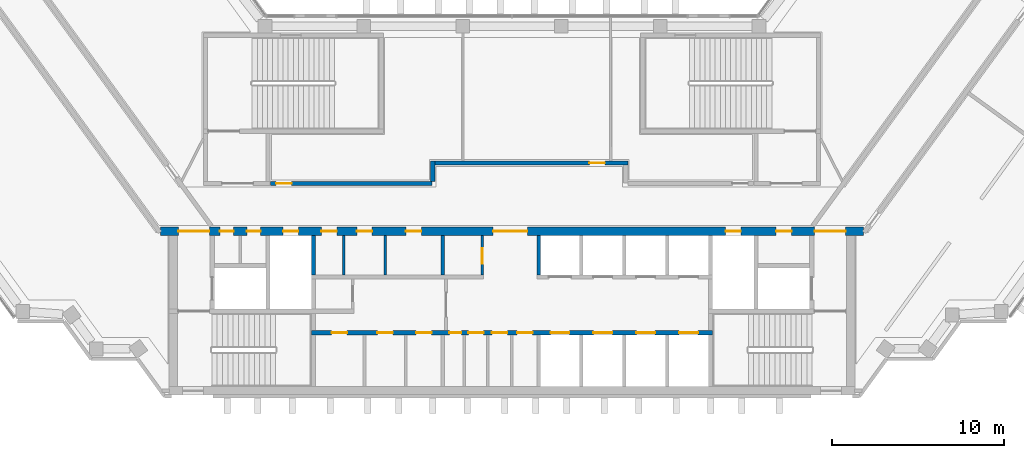
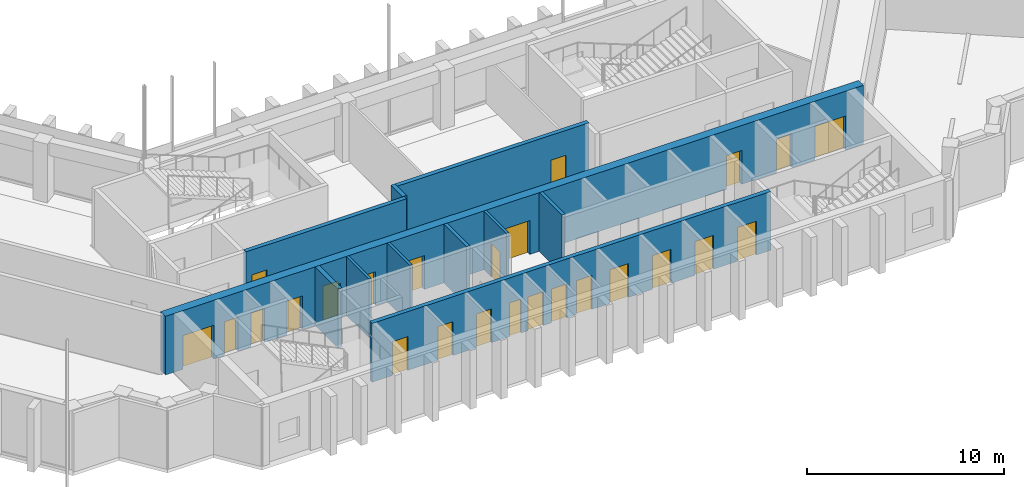
# One storey, part 8 of 12: 25 doors, 11 walls, 25 openings.
"""IFC4 building model written with IfcOpenShell, lengths in metres."""

from ifc_helpers import new_model, si_unit, direction, frame, frame_2d, origin, place, context, subcontext, project, spatial, rectangle, extrude, material, layer, layer_set, type_object, element, fill, save


model = new_model("IFC4")

# Units and contexts
model_context = context("Model", 3, precision=1e-05, world=origin(), true_north=direction((0.0, 1.0)))
body_context = subcontext(model_context, "Body", "Model", "MODEL_VIEW")
ifc_project = project(units=[si_unit("LENGTHUNIT", "METRE"), si_unit("AREAUNIT", "SQUARE_METRE"), si_unit("VOLUMEUNIT", "CUBIC_METRE"), si_unit("PLANEANGLEUNIT", "RADIAN"), si_unit("MASSUNIT", "GRAM", prefix="KILO")], contexts=[model_context])

# Site, building, storey
site_placement = place(None, origin())
site = spatial("IfcSite", under=ifc_project, at=site_placement, CompositionType="ELEMENT")
building_placement = place(site_placement, origin())
building = spatial("IfcBuilding", under=site, at=building_placement, Name="Quipu Civic Tower", CompositionType="ELEMENT")
storey_placement = place(building_placement, frame((0.0, 0.0, 210.0)))
storey = spatial("IfcBuildingStorey", under=building, at=storey_placement, Name="L49", CompositionType="ELEMENT", Elevation=210.0)

# Wall, openings, doors
ifc_material_1 = material(Name="Concrete C70/85", Category="concrete")
ifc_layer_1 = layer(ifc_material_1, 0.25)
ifc_layer_set_1 = layer_set([ifc_layer_1], Name="Concrete C70/85")
wall_type_1 = type_object("IfcWallType", Name="Core wall 250", PredefinedType="SHEAR", material=ifc_layer_set_1)
wall_1_placement = place(storey_placement, frame((11.699951171875, -7.375, 0.0), z_axis=(0.0, 0.0, 1.0), x_axis=(-1.0, 0.0, 0.0)))
wall_1 = element("IfcWall", 1, at=wall_1_placement, inside=storey, type_object=wall_type_1, Name="Core wall", PredefinedType="SHEAR", context=body_context, shape_type="SweptSolid", body=[
    extrude(rectangle(XDim=23.39990234375, YDim=0.25, at=frame_2d((11.699951171875, 0.0))), origin(), (0.0, 0.0, 1.0), 3.64990234375),
])
opening_1_placement = place(wall_1_placement, frame((21.31201171875, 0.0, 0.0)))
opening_1 = element("IfcOpeningElement", 2, at=opening_1_placement, cuts=wall_1, Name="Opening CD-01", PredefinedType="OPENING", context=body_context, shape_type="SweptSolid", body=[
    extrude(rectangle(XDim=0.89990234375, YDim=2.10009765625, at=frame_2d((0.449951171875, 1.050048828125))), frame((0.0, 0.135009765625, 0.0), z_axis=(0.0, -1.0, 0.0), x_axis=(1.0, 0.0, 0.0)), (0.0, 0.0, 1.0), 0.27001953125),
])
opening_2_placement = place(wall_1_placement, frame((18.64990234375, 0.0, 0.0)))
opening_2 = element("IfcOpeningElement", 3, at=opening_2_placement, cuts=wall_1, Name="Opening CD-02", PredefinedType="OPENING", context=body_context, shape_type="SweptSolid", body=[
    extrude(rectangle(XDim=0.89990234375, YDim=2.10009765625, at=frame_2d((0.449951171875, 1.050048828125))), frame((0.0, 0.135009765625, 0.0), z_axis=(0.0, -1.0, 0.0), x_axis=(1.0, 0.0, 0.0)), (0.0, 0.0, 1.0), 0.27001953125),
])
opening_3_placement = place(wall_1_placement, frame((16.387939453125, 0.0, 0.0)))
opening_3 = element("IfcOpeningElement", 4, at=opening_3_placement, cuts=wall_1, Name="Opening CD-03", PredefinedType="OPENING", context=body_context, shape_type="SweptSolid", body=[
    extrude(rectangle(XDim=0.89990234375, YDim=2.10009765625, at=frame_2d((0.449951171875, 1.050048828125))), frame((0.0, 0.135009765625, 0.0), z_axis=(0.0, -1.0, 0.0), x_axis=(1.0, 0.0, 0.0)), (0.0, 0.0, 1.0), 0.27001953125),
])
opening_4_placement = place(wall_1_placement, frame((14.64990234375, 0.0, 0.0)))
opening_4 = element("IfcOpeningElement", 5, at=opening_4_placement, cuts=wall_1, Name="Opening CD-04", PredefinedType="OPENING", context=body_context, shape_type="SweptSolid", body=[
    extrude(rectangle(XDim=0.699951171875, YDim=2.10009765625, at=frame_2d((0.35009765625, 1.050048828125))), frame((0.0, 0.135009765625, 0.0), z_axis=(0.0, -1.0, 0.0), x_axis=(1.0, 0.0, 0.0)), (0.0, 0.0, 1.0), 0.27001953125),
])
opening_5_placement = place(wall_1_placement, frame((13.35009765625, 0.0, 0.0)))
opening_5 = element("IfcOpeningElement", 6, at=opening_5_placement, cuts=wall_1, Name="Opening CD-05", PredefinedType="OPENING", context=body_context, shape_type="SweptSolid", body=[
    extrude(rectangle(XDim=0.89990234375, YDim=2.10009765625, at=frame_2d((0.449951171875, 1.050048828125))), frame((0.0, 0.135009765625, 0.0), z_axis=(0.0, -1.0, 0.0), x_axis=(1.0, 0.0, 0.0)), (0.0, 0.0, 1.0), 0.27001953125),
])
opening_6_placement = place(wall_1_placement, frame((11.97509765625, 0.0, 0.0)))
opening_6 = element("IfcOpeningElement", 7, at=opening_6_placement, cuts=wall_1, Name="Opening CD-06", PredefinedType="OPENING", context=body_context, shape_type="SweptSolid", body=[
    extrude(rectangle(XDim=0.89990234375, YDim=2.10009765625, at=frame_2d((0.449951171875, 1.050048828125))), frame((0.0, 0.135009765625, 0.0), z_axis=(0.0, -1.0, 0.0), x_axis=(1.0, 0.0, 0.0)), (0.0, 0.0, 1.0), 0.27001953125),
])
opening_7_placement = place(wall_1_placement, frame((10.5, 0.0, 0.0)))
opening_7 = element("IfcOpeningElement", 8, at=opening_7_placement, cuts=wall_1, Name="Opening CD-07", PredefinedType="OPENING", context=body_context, shape_type="SweptSolid", body=[
    extrude(rectangle(XDim=0.89990234375, YDim=2.10009765625, at=frame_2d((0.449951171875, 1.050048828125))), frame((0.0, 0.135009765625, 0.0), z_axis=(0.0, -1.0, 0.0), x_axis=(1.0, 0.0, 0.0)), (0.0, 0.0, 1.0), 0.27001953125),
])
opening_8_placement = place(wall_1_placement, frame((8.35009765625, 0.0, 0.0)))
opening_8 = element("IfcOpeningElement", 9, at=opening_8_placement, cuts=wall_1, Name="Opening LD-ML1", PredefinedType="OPENING", context=body_context, shape_type="SweptSolid", body=[
    extrude(rectangle(XDim=1.10009765625, YDim=2.10009765625, at=frame_2d((0.550048828125, 1.050048828125))), frame((0.0, 0.135009765625, 0.0), z_axis=(0.0, -1.0, 0.0), x_axis=(1.0, 0.0, 0.0)), (0.0, 0.0, 1.0), 0.27001953125),
])
opening_9_placement = place(wall_1_placement, frame((5.85009765625, 0.0, 0.0)))
opening_9 = element("IfcOpeningElement", 10, at=opening_9_placement, cuts=wall_1, Name="Opening LD-ML2", PredefinedType="OPENING", context=body_context, shape_type="SweptSolid", body=[
    extrude(rectangle(XDim=1.10009765625, YDim=2.10009765625, at=frame_2d((0.550048828125, 1.050048828125))), frame((0.0, 0.135009765625, 0.0), z_axis=(0.0, -1.0, 0.0), x_axis=(1.0, 0.0, 0.0)), (0.0, 0.0, 1.0), 0.27001953125),
])
opening_10_placement = place(wall_1_placement, frame((3.35009765625, 0.0, 0.0)))
opening_10 = element("IfcOpeningElement", 11, at=opening_10_placement, cuts=wall_1, Name="Opening LD-ML3", PredefinedType="OPENING", context=body_context, shape_type="SweptSolid", body=[
    extrude(rectangle(XDim=1.10009765625, YDim=2.10009765625, at=frame_2d((0.550048828125, 1.050048828125))), frame((0.0, 0.135009765625, 0.0), z_axis=(0.0, -1.0, 0.0), x_axis=(1.0, 0.0, 0.0)), (0.0, 0.0, 1.0), 0.27001953125),
])
opening_11_placement = place(wall_1_placement, frame((0.85009765625, 0.0, 0.0)))
opening_11 = element("IfcOpeningElement", 12, at=opening_11_placement, cuts=wall_1, Name="Opening LD-ML4", PredefinedType="OPENING", context=body_context, shape_type="SweptSolid", body=[
    extrude(rectangle(XDim=1.10009765625, YDim=2.10009765625, at=frame_2d((0.550048828125, 1.050048828125))), frame((0.0, 0.135009765625, 0.0), z_axis=(0.0, -1.0, 0.0), x_axis=(1.0, 0.0, 0.0)), (0.0, 0.0, 1.0), 0.27001953125),
])
ifc_material_2 = material(Name="Fire rated steel door", Category="steel")
door_type_1 = type_object("IfcDoorType", Name="Fire door FD60 700 x 2100", OperationType="NOTDEFINED", PredefinedType="DOOR", material=ifc_material_2)
door_1_placement = place(opening_4_placement, origin())
door_1 = element("IfcDoor", 13, at=door_1_placement, inside=storey, type_object=door_type_1, Name="Door", OperationType="SINGLE_SWING_RIGHT", OverallHeight=2.10009765625, OverallWidth=0.699951171875, PredefinedType="DOOR", context=body_context, shape_type="SweptSolid", body=[
    extrude(rectangle(XDim=0.699951171875, YDim=2.10009765625, at=frame_2d((0.35009765625, 1.050048828125))), frame((0.0, 0.02490234375, 0.0), z_axis=(0.0, -1.0, 0.0), x_axis=(1.0, 0.0, 0.0)), (0.0, 0.0, 1.0), 0.050048828125),
])
fill(opening_4, door_1)
ifc_material_3 = material(Name="Fire rated steel door", Category="steel")
door_type_2 = type_object("IfcDoorType", Name="Fire door FD60 900 x 2100", OperationType="NOTDEFINED", PredefinedType="DOOR", material=ifc_material_3)
door_2_placement = place(opening_1_placement, origin())
door_2 = element("IfcDoor", 14, at=door_2_placement, inside=storey, type_object=door_type_2, Name="Door", OperationType="SINGLE_SWING_RIGHT", OverallHeight=2.10009765625, OverallWidth=0.89990234375, PredefinedType="DOOR", context=body_context, shape_type="SweptSolid", body=[
    extrude(rectangle(XDim=0.89990234375, YDim=2.10009765625, at=frame_2d((0.449951171875, 1.050048828125))), frame((0.0, 0.02490234375, 0.0), z_axis=(0.0, -1.0, 0.0), x_axis=(1.0, 0.0, 0.0)), (0.0, 0.0, 1.0), 0.050048828125),
])
fill(opening_1, door_2)
door_3_placement = place(opening_2_placement, origin())
door_3 = element("IfcDoor", 15, at=door_3_placement, inside=storey, type_object=door_type_2, Name="Door", OperationType="SINGLE_SWING_RIGHT", OverallHeight=2.10009765625, OverallWidth=0.89990234375, PredefinedType="DOOR", context=body_context, shape_type="SweptSolid", body=[
    extrude(rectangle(XDim=0.89990234375, YDim=2.10009765625, at=frame_2d((0.449951171875, 1.050048828125))), frame((0.0, 0.02490234375, 0.0), z_axis=(0.0, -1.0, 0.0), x_axis=(1.0, 0.0, 0.0)), (0.0, 0.0, 1.0), 0.050048828125),
])
fill(opening_2, door_3)
door_4_placement = place(opening_3_placement, origin())
door_4 = element("IfcDoor", 16, at=door_4_placement, inside=storey, type_object=door_type_2, Name="Door", OperationType="SINGLE_SWING_RIGHT", OverallHeight=2.10009765625, OverallWidth=0.89990234375, PredefinedType="DOOR", context=body_context, shape_type="SweptSolid", body=[
    extrude(rectangle(XDim=0.89990234375, YDim=2.10009765625, at=frame_2d((0.449951171875, 1.050048828125))), frame((0.0, 0.02490234375, 0.0), z_axis=(0.0, -1.0, 0.0), x_axis=(1.0, 0.0, 0.0)), (0.0, 0.0, 1.0), 0.050048828125),
])
fill(opening_3, door_4)
door_5_placement = place(opening_5_placement, origin())
door_5 = element("IfcDoor", 17, at=door_5_placement, inside=storey, type_object=door_type_2, Name="WC door", OperationType="SINGLE_SWING_RIGHT", OverallHeight=2.10009765625, OverallWidth=0.89990234375, PredefinedType="DOOR", context=body_context, shape_type="SweptSolid", body=[
    extrude(rectangle(XDim=0.89990234375, YDim=2.10009765625, at=frame_2d((0.449951171875, 1.050048828125))), frame((0.0, 0.02490234375, 0.0), z_axis=(0.0, -1.0, 0.0), x_axis=(1.0, 0.0, 0.0)), (0.0, 0.0, 1.0), 0.050048828125),
])
fill(opening_5, door_5)
door_6_placement = place(opening_6_placement, origin())
door_6 = element("IfcDoor", 18, at=door_6_placement, inside=storey, type_object=door_type_2, Name="WC door", OperationType="SINGLE_SWING_RIGHT", OverallHeight=2.10009765625, OverallWidth=0.89990234375, PredefinedType="DOOR", context=body_context, shape_type="SweptSolid", body=[
    extrude(rectangle(XDim=0.89990234375, YDim=2.10009765625, at=frame_2d((0.449951171875, 1.050048828125))), frame((0.0, 0.02490234375, 0.0), z_axis=(0.0, -1.0, 0.0), x_axis=(1.0, 0.0, 0.0)), (0.0, 0.0, 1.0), 0.050048828125),
])
fill(opening_6, door_6)
door_7_placement = place(opening_7_placement, origin())
door_7 = element("IfcDoor", 19, at=door_7_placement, inside=storey, type_object=door_type_2, Name="WC door", OperationType="SINGLE_SWING_LEFT", OverallHeight=2.10009765625, OverallWidth=0.89990234375, PredefinedType="DOOR", context=body_context, shape_type="SweptSolid", body=[
    extrude(rectangle(XDim=0.89990234375, YDim=2.10009765625, at=frame_2d((0.449951171875, 1.050048828125))), frame((0.0, 0.02490234375, 0.0), z_axis=(0.0, -1.0, 0.0), x_axis=(1.0, 0.0, 0.0)), (0.0, 0.0, 1.0), 0.050048828125),
])
fill(opening_7, door_7)
ifc_material_4 = material(Name="Stainless steel", Category="steel")
door_type_3 = type_object("IfcDoorType", Name="Lift landing door 1100 x 2100", OperationType="DOUBLE_DOOR_SLIDING", PredefinedType="DOOR", material=ifc_material_4)
door_8_placement = place(opening_8_placement, origin())
door_8 = element("IfcDoor", 20, at=door_8_placement, inside=storey, type_object=door_type_3, Name="Landing door ML1", OperationType="DOUBLE_DOOR_SLIDING", OverallHeight=2.10009765625, OverallWidth=1.10009765625, PredefinedType="DOOR", context=body_context, shape_type="SweptSolid", body=[
    extrude(rectangle(XDim=1.10009765625, YDim=2.10009765625, at=frame_2d((0.550048828125, 1.050048828125))), frame((0.0, 0.02490234375, 0.0), z_axis=(0.0, -1.0, 0.0), x_axis=(1.0, 0.0, 0.0)), (0.0, 0.0, 1.0), 0.050048828125),
])
fill(opening_8, door_8)
door_9_placement = place(opening_9_placement, origin())
door_9 = element("IfcDoor", 21, at=door_9_placement, inside=storey, type_object=door_type_3, Name="Landing door ML2", OperationType="DOUBLE_DOOR_SLIDING", OverallHeight=2.10009765625, OverallWidth=1.10009765625, PredefinedType="DOOR", context=body_context, shape_type="SweptSolid", body=[
    extrude(rectangle(XDim=1.10009765625, YDim=2.10009765625, at=frame_2d((0.550048828125, 1.050048828125))), frame((0.0, 0.02490234375, 0.0), z_axis=(0.0, -1.0, 0.0), x_axis=(1.0, 0.0, 0.0)), (0.0, 0.0, 1.0), 0.050048828125),
])
fill(opening_9, door_9)
door_10_placement = place(opening_10_placement, origin())
door_10 = element("IfcDoor", 22, at=door_10_placement, inside=storey, type_object=door_type_3, Name="Landing door ML3", OperationType="DOUBLE_DOOR_SLIDING", OverallHeight=2.10009765625, OverallWidth=1.10009765625, PredefinedType="DOOR", context=body_context, shape_type="SweptSolid", body=[
    extrude(rectangle(XDim=1.10009765625, YDim=2.10009765625, at=frame_2d((0.550048828125, 1.050048828125))), frame((0.0, 0.02490234375, 0.0), z_axis=(0.0, -1.0, 0.0), x_axis=(1.0, 0.0, 0.0)), (0.0, 0.0, 1.0), 0.050048828125),
])
fill(opening_10, door_10)
door_11_placement = place(opening_11_placement, origin())
door_11 = element("IfcDoor", 23, at=door_11_placement, inside=storey, type_object=door_type_3, Name="Landing door ML4", OperationType="DOUBLE_DOOR_SLIDING", OverallHeight=2.10009765625, OverallWidth=1.10009765625, PredefinedType="DOOR", context=body_context, shape_type="SweptSolid", body=[
    extrude(rectangle(XDim=1.10009765625, YDim=2.10009765625, at=frame_2d((0.550048828125, 1.050048828125))), frame((0.0, 0.02490234375, 0.0), z_axis=(0.0, -1.0, 0.0), x_axis=(1.0, 0.0, 0.0)), (0.0, 0.0, 1.0), 0.050048828125),
])
fill(opening_11, door_11)

# Wall
wall_2_placement = place(storey_placement, frame((-11.574951171875, -4.0, 0.0), z_axis=(0.0, 0.0, 1.0), x_axis=(0.0, 1.0, 0.0)))
element("IfcWall", 24, at=wall_2_placement, inside=storey, type_object=wall_type_1, Name="Core wall", PredefinedType="SHEAR", context=body_context, shape_type="SweptSolid", body=[
    extrude(rectangle(XDim=2.300048828125, YDim=0.25, at=frame_2d((1.14990234375, 0.0))), origin(), (0.0, 0.0, 1.0), 3.64990234375),
])

# Wall, openings, doors
ifc_material_5 = material(Name="Concrete C70/85", Category="concrete")
ifc_layer_2 = layer(ifc_material_5, 0.5)
ifc_layer_set_2 = layer_set([ifc_layer_2], Name="Concrete C70/85")
wall_type_2 = type_object("IfcWallType", Name="Core wall 500", PredefinedType="SHEAR", material=ifc_layer_set_2)
wall_3_placement = place(storey_placement, frame((20.489990234375, -1.449951171875, 0.0), z_axis=(0.0, 0.0, 1.0), x_axis=(-1.0, 0.0, 0.0)))
wall_3 = element("IfcWall", 25, at=wall_3_placement, inside=storey, type_object=wall_type_2, Name="Core wall", PredefinedType="SHEAR", context=body_context, shape_type="SweptSolid", body=[
    extrude(rectangle(XDim=40.97998046875, YDim=0.5, at=frame_2d((20.489990234375, 0.0))), origin(), (0.0, 0.0, 1.0), 3.64990234375),
])
opening_12_placement = place(wall_3_placement, frame((38.139892578125, 0.0, 0.0)))
opening_12 = element("IfcOpeningElement", 26, at=opening_12_placement, cuts=wall_3, Name="Opening CD-13", PredefinedType="OPENING", context=body_context, shape_type="SweptSolid", body=[
    extrude(rectangle(XDim=1.800048828125, YDim=2.10009765625, at=frame_2d((0.89990234375, 1.050048828125))), frame((0.0, 0.260009765625, 0.0), z_axis=(0.0, -1.0, 0.0), x_axis=(1.0, 0.0, 0.0)), (0.0, 0.0, 1.0), 0.52001953125),
])
opening_13_placement = place(wall_3_placement, frame((36.7275390625, 0.0, 0.0)))
opening_13 = element("IfcOpeningElement", 27, at=opening_13_placement, cuts=wall_3, Name="Opening CD-14", PredefinedType="OPENING", context=body_context, shape_type="SweptSolid", body=[
    extrude(rectangle(XDim=0.800048828125, YDim=2.10009765625, at=frame_2d((0.39990234375, 1.050048828125))), frame((0.0, 0.260009765625, 0.0), z_axis=(0.0, -1.0, 0.0), x_axis=(1.0, 0.0, 0.0)), (0.0, 0.0, 1.0), 0.52001953125),
])
opening_14_placement = place(wall_3_placement, frame((35.152587890625, 0.0, 0.0)))
opening_14 = element("IfcOpeningElement", 28, at=opening_14_placement, cuts=wall_3, Name="Opening CD-15", PredefinedType="OPENING", context=body_context, shape_type="SweptSolid", body=[
    extrude(rectangle(XDim=0.800048828125, YDim=2.10009765625, at=frame_2d((0.39990234375, 1.050048828125))), frame((0.0, 0.260009765625, 0.0), z_axis=(0.0, -1.0, 0.0), x_axis=(1.0, 0.0, 0.0)), (0.0, 0.0, 1.0), 0.52001953125),
])
opening_15_placement = place(wall_3_placement, frame((32.93994140625, 0.0, 0.0)))
opening_15 = element("IfcOpeningElement", 29, at=opening_15_placement, cuts=wall_3, Name="Opening CD-16", PredefinedType="OPENING", context=body_context, shape_type="SweptSolid", body=[
    extrude(rectangle(XDim=0.89990234375, YDim=2.10009765625, at=frame_2d((0.449951171875, 1.050048828125))), frame((0.0, 0.260009765625, 0.0), z_axis=(0.0, -1.0, 0.0), x_axis=(1.0, 0.0, 0.0)), (0.0, 0.0, 1.0), 0.52001953125),
])
opening_16_placement = place(wall_3_placement, frame((30.702392578125, 0.0, 0.0)))
opening_16 = element("IfcOpeningElement", 30, at=opening_16_placement, cuts=wall_3, Name="Opening CD-17", PredefinedType="OPENING", context=body_context, shape_type="SweptSolid", body=[
    extrude(rectangle(XDim=0.89990234375, YDim=2.10009765625, at=frame_2d((0.449951171875, 1.050048828125))), frame((0.0, 0.260009765625, 0.0), z_axis=(0.0, -1.0, 0.0), x_axis=(1.0, 0.0, 0.0)), (0.0, 0.0, 1.0), 0.52001953125),
])
opening_17_placement = place(wall_3_placement, frame((28.639892578125, 0.0, 0.0)))
opening_17 = element("IfcOpeningElement", 31, at=opening_17_placement, cuts=wall_3, Name="Opening CD-18", PredefinedType="OPENING", context=body_context, shape_type="SweptSolid", body=[
    extrude(rectangle(XDim=0.89990234375, YDim=2.10009765625, at=frame_2d((0.449951171875, 1.050048828125))), frame((0.0, 0.260009765625, 0.0), z_axis=(0.0, -1.0, 0.0), x_axis=(1.0, 0.0, 0.0)), (0.0, 0.0, 1.0), 0.52001953125),
])
opening_18_placement = place(wall_3_placement, frame((25.777587890625, 0.0, 0.0)))
opening_18 = element("IfcOpeningElement", 32, at=opening_18_placement, cuts=wall_3, Name="Opening CD-19", PredefinedType="OPENING", context=body_context, shape_type="SweptSolid", body=[
    extrude(rectangle(XDim=0.89990234375, YDim=2.10009765625, at=frame_2d((0.449951171875, 1.050048828125))), frame((0.0, 0.260009765625, 0.0), z_axis=(0.0, -1.0, 0.0), x_axis=(1.0, 0.0, 0.0)), (0.0, 0.0, 1.0), 0.52001953125),
])
opening_19_placement = place(wall_3_placement, frame((19.590087890625, 0.0, 0.0)))
opening_19 = element("IfcOpeningElement", 33, at=opening_19_placement, cuts=wall_3, Name="Opening CD-20", PredefinedType="OPENING", context=body_context, shape_type="SweptSolid", body=[
    extrude(rectangle(XDim=2.0, YDim=2.10009765625, at=frame_2d((1.0, 1.050048828125))), frame((0.0, 0.260009765625, 0.0), z_axis=(0.0, -1.0, 0.0), x_axis=(1.0, 0.0, 0.0)), (0.0, 0.0, 1.0), 0.52001953125),
])
opening_20_placement = place(wall_3_placement, frame((7.139892578125, 0.0, 0.0)))
opening_20 = element("IfcOpeningElement", 34, at=opening_20_placement, cuts=wall_3, Name="Opening CD-21", PredefinedType="OPENING", context=body_context, shape_type="SweptSolid", body=[
    extrude(rectangle(XDim=0.89990234375, YDim=2.10009765625, at=frame_2d((0.449951171875, 1.050048828125))), frame((0.0, 0.260009765625, 0.0), z_axis=(0.0, -1.0, 0.0), x_axis=(1.0, 0.0, 0.0)), (0.0, 0.0, 1.0), 0.52001953125),
])
opening_21_placement = place(wall_3_placement, frame((4.18994140625, 0.0, 0.0)))
opening_21 = element("IfcOpeningElement", 35, at=opening_21_placement, cuts=wall_3, Name="Opening CD-22", PredefinedType="OPENING", context=body_context, shape_type="SweptSolid", body=[
    extrude(rectangle(XDim=0.89990234375, YDim=2.10009765625, at=frame_2d((0.449951171875, 1.050048828125))), frame((0.0, 0.260009765625, 0.0), z_axis=(0.0, -1.0, 0.0), x_axis=(1.0, 0.0, 0.0)), (0.0, 0.0, 1.0), 0.52001953125),
])
opening_22_placement = place(wall_3_placement, frame((1.0400390625, 0.0, 0.0)))
opening_22 = element("IfcOpeningElement", 36, at=opening_22_placement, cuts=wall_3, Name="Opening CD-23", PredefinedType="OPENING", context=body_context, shape_type="SweptSolid", body=[
    extrude(rectangle(XDim=1.800048828125, YDim=2.10009765625, at=frame_2d((0.89990234375, 1.050048828125))), frame((0.0, 0.260009765625, 0.0), z_axis=(0.0, -1.0, 0.0), x_axis=(1.0, 0.0, 0.0)), (0.0, 0.0, 1.0), 0.52001953125),
])
ifc_material_6 = material(Name="Fire rated steel door", Category="steel")
door_type_4 = type_object("IfcDoorType", Name="Fire door FD60 800 x 2100", OperationType="NOTDEFINED", PredefinedType="DOOR", material=ifc_material_6)
door_12_placement = place(opening_13_placement, origin())
door_12 = element("IfcDoor", 37, at=door_12_placement, inside=storey, type_object=door_type_4, Name="Door", OperationType="SINGLE_SWING_RIGHT", OverallHeight=2.10009765625, OverallWidth=0.800048828125, PredefinedType="DOOR", context=body_context, shape_type="SweptSolid", body=[
    extrude(rectangle(XDim=0.800048828125, YDim=2.10009765625, at=frame_2d((0.39990234375, 1.050048828125))), frame((0.0, 0.02490234375, 0.0), z_axis=(0.0, -1.0, 0.0), x_axis=(1.0, 0.0, 0.0)), (0.0, 0.0, 1.0), 0.050048828125),
])
fill(opening_13, door_12)
door_13_placement = place(opening_14_placement, origin())
door_13 = element("IfcDoor", 38, at=door_13_placement, inside=storey, type_object=door_type_4, Name="Door", OperationType="SINGLE_SWING_RIGHT", OverallHeight=2.10009765625, OverallWidth=0.800048828125, PredefinedType="DOOR", context=body_context, shape_type="SweptSolid", body=[
    extrude(rectangle(XDim=0.800048828125, YDim=2.10009765625, at=frame_2d((0.39990234375, 1.050048828125))), frame((0.0, 0.02490234375, 0.0), z_axis=(0.0, -1.0, 0.0), x_axis=(1.0, 0.0, 0.0)), (0.0, 0.0, 1.0), 0.050048828125),
])
fill(opening_14, door_13)
door_14_placement = place(opening_15_placement, origin())
door_14 = element("IfcDoor", 39, at=door_14_placement, inside=storey, type_object=door_type_2, Name="Riser door", OperationType="SINGLE_SWING_RIGHT", OverallHeight=2.10009765625, OverallWidth=0.89990234375, PredefinedType="DOOR", context=body_context, shape_type="SweptSolid", body=[
    extrude(rectangle(XDim=0.89990234375, YDim=2.10009765625, at=frame_2d((0.449951171875, 1.050048828125))), frame((0.0, 0.02490234375, 0.0), z_axis=(0.0, -1.0, 0.0), x_axis=(1.0, 0.0, 0.0)), (0.0, 0.0, 1.0), 0.050048828125),
])
fill(opening_15, door_14)
door_15_placement = place(opening_16_placement, origin())
door_15 = element("IfcDoor", 40, at=door_15_placement, inside=storey, type_object=door_type_2, Name="Door", OperationType="SINGLE_SWING_RIGHT", OverallHeight=2.10009765625, OverallWidth=0.89990234375, PredefinedType="DOOR", context=body_context, shape_type="SweptSolid", body=[
    extrude(rectangle(XDim=0.89990234375, YDim=2.10009765625, at=frame_2d((0.449951171875, 1.050048828125))), frame((0.0, 0.02490234375, 0.0), z_axis=(0.0, -1.0, 0.0), x_axis=(1.0, 0.0, 0.0)), (0.0, 0.0, 1.0), 0.050048828125),
])
fill(opening_16, door_15)
door_16_placement = place(opening_17_placement, origin())
door_16 = element("IfcDoor", 41, at=door_16_placement, inside=storey, type_object=door_type_2, Name="Door", OperationType="SINGLE_SWING_RIGHT", OverallHeight=2.10009765625, OverallWidth=0.89990234375, PredefinedType="DOOR", context=body_context, shape_type="SweptSolid", body=[
    extrude(rectangle(XDim=0.89990234375, YDim=2.10009765625, at=frame_2d((0.449951171875, 1.050048828125))), frame((0.0, 0.02490234375, 0.0), z_axis=(0.0, -1.0, 0.0), x_axis=(1.0, 0.0, 0.0)), (0.0, 0.0, 1.0), 0.050048828125),
])
fill(opening_17, door_16)
door_17_placement = place(opening_18_placement, origin())
door_17 = element("IfcDoor", 42, at=door_17_placement, inside=storey, type_object=door_type_2, Name="Door", OperationType="SINGLE_SWING_RIGHT", OverallHeight=2.10009765625, OverallWidth=0.89990234375, PredefinedType="DOOR", context=body_context, shape_type="SweptSolid", body=[
    extrude(rectangle(XDim=0.89990234375, YDim=2.10009765625, at=frame_2d((0.449951171875, 1.050048828125))), frame((0.0, 0.02490234375, 0.0), z_axis=(0.0, -1.0, 0.0), x_axis=(1.0, 0.0, 0.0)), (0.0, 0.0, 1.0), 0.050048828125),
])
fill(opening_18, door_17)
door_18_placement = place(opening_20_placement, origin())
door_18 = element("IfcDoor", 43, at=door_18_placement, inside=storey, type_object=door_type_2, Name="Riser door", OperationType="SINGLE_SWING_LEFT", OverallHeight=2.10009765625, OverallWidth=0.89990234375, PredefinedType="DOOR", context=body_context, shape_type="SweptSolid", body=[
    extrude(rectangle(XDim=0.89990234375, YDim=2.10009765625, at=frame_2d((0.449951171875, 1.050048828125))), frame((0.0, 0.02490234375, 0.0), z_axis=(0.0, -1.0, 0.0), x_axis=(1.0, 0.0, 0.0)), (0.0, 0.0, 1.0), 0.050048828125),
])
fill(opening_20, door_18)
door_19_placement = place(opening_21_placement, origin())
door_19 = element("IfcDoor", 44, at=door_19_placement, inside=storey, type_object=door_type_2, Name="Door", OperationType="SINGLE_SWING_LEFT", OverallHeight=2.10009765625, OverallWidth=0.89990234375, PredefinedType="DOOR", context=body_context, shape_type="SweptSolid", body=[
    extrude(rectangle(XDim=0.89990234375, YDim=2.10009765625, at=frame_2d((0.449951171875, 1.050048828125))), frame((0.0, 0.02490234375, 0.0), z_axis=(0.0, -1.0, 0.0), x_axis=(1.0, 0.0, 0.0)), (0.0, 0.0, 1.0), 0.050048828125),
])
fill(opening_21, door_19)
ifc_material_7 = material(Name="Fire rated steel door", Category="steel")
door_type_5 = type_object("IfcDoorType", Name="Fire door FD90 double 1800 x 2100", OperationType="NOTDEFINED", PredefinedType="DOOR", material=ifc_material_7)
door_20_placement = place(opening_12_placement, origin())
door_20 = element("IfcDoor", 45, at=door_20_placement, inside=storey, type_object=door_type_5, Name="Lobby door", OperationType="DOUBLE_DOOR_SINGLE_SWING", OverallHeight=2.10009765625, OverallWidth=1.800048828125, PredefinedType="DOOR", context=body_context, shape_type="SweptSolid", body=[
    extrude(rectangle(XDim=1.800048828125, YDim=2.10009765625, at=frame_2d((0.89990234375, 1.050048828125))), frame((0.0, 0.02490234375, 0.0), z_axis=(0.0, -1.0, 0.0), x_axis=(1.0, 0.0, 0.0)), (0.0, 0.0, 1.0), 0.050048828125),
])
fill(opening_12, door_20)
door_21_placement = place(opening_22_placement, origin())
door_21 = element("IfcDoor", 46, at=door_21_placement, inside=storey, type_object=door_type_5, Name="Lobby door", OperationType="DOUBLE_DOOR_SINGLE_SWING", OverallHeight=2.10009765625, OverallWidth=1.800048828125, PredefinedType="DOOR", context=body_context, shape_type="SweptSolid", body=[
    extrude(rectangle(XDim=1.800048828125, YDim=2.10009765625, at=frame_2d((0.89990234375, 1.050048828125))), frame((0.0, 0.02490234375, 0.0), z_axis=(0.0, -1.0, 0.0), x_axis=(1.0, 0.0, 0.0)), (0.0, 0.0, 1.0), 0.050048828125),
])
fill(opening_22, door_21)
ifc_material_8 = material(Name="Fire rated steel door", Category="steel")
door_type_6 = type_object("IfcDoorType", Name="Fire door FD90 double 2000 x 2100", OperationType="NOTDEFINED", PredefinedType="DOOR", material=ifc_material_8)
door_22_placement = place(opening_19_placement, origin())
door_22 = element("IfcDoor", 47, at=door_22_placement, inside=storey, type_object=door_type_6, Name="Lobby door", OperationType="DOUBLE_DOOR_SINGLE_SWING", OverallHeight=2.10009765625, OverallWidth=2.0, PredefinedType="DOOR", context=body_context, shape_type="SweptSolid", body=[
    extrude(rectangle(XDim=2.0, YDim=2.10009765625, at=frame_2d((1.0, 1.050048828125))), frame((0.0, 0.02490234375, 0.0), z_axis=(0.0, -1.0, 0.0), x_axis=(1.0, 0.0, 0.0)), (0.0, 0.0, 1.0), 0.050048828125),
])
fill(opening_19, door_22)

# Wall, opening, door
ifc_material_9 = material(Name="Concrete C50/60", Category="concrete")
ifc_layer_3 = layer(ifc_material_9, 0.25)
ifc_layer_set_3 = layer_set([ifc_layer_3], Name="Concrete C50/60")
wall_type_3 = type_object("IfcWallType", Name="Corridor wall 250 concrete", PredefinedType="SOLIDWALL", material=ifc_layer_set_3)
wall_4_placement = place(storey_placement, frame((-14.090087890625, 1.324951171875, 0.0), z_axis=(0.0, 0.0, 1.0), x_axis=(1.0, 0.0, 0.0)))
wall_4 = element("IfcWall", 48, at=wall_4_placement, inside=storey, type_object=wall_type_3, Name="Corridor wall C07", PredefinedType="SOLIDWALL", context=body_context, shape_type="SweptSolid", body=[
    extrude(rectangle(XDim=9.431396484375, YDim=0.25, at=frame_2d((4.7158203125, 0.0))), origin(), (0.0, 0.0, 1.0), 3.64990234375),
])
opening_23_placement = place(wall_4_placement, frame((0.340087890625, 0.0, 0.0)))
opening_23 = element("IfcOpeningElement", 49, at=opening_23_placement, cuts=wall_4, Name="Opening D005", PredefinedType="OPENING", context=body_context, shape_type="SweptSolid", body=[
    extrude(rectangle(XDim=0.89990234375, YDim=2.10009765625, at=frame_2d((0.449951171875, 1.050048828125))), frame((0.0, 0.135009765625, 0.0), z_axis=(0.0, -1.0, 0.0), x_axis=(1.0, 0.0, 0.0)), (0.0, 0.0, 1.0), 0.27001953125),
])
ifc_material_10 = material(Name="Fire rated timber door set with metal frame", Category="wood")
door_type_7 = type_object("IfcDoorType", Name="Single door 900 x 2100 FD60", OperationType="NOTDEFINED", PredefinedType="DOOR", material=ifc_material_10)
door_23_placement = place(opening_23_placement, origin())
door_23 = element("IfcDoor", 50, at=door_23_placement, inside=storey, type_object=door_type_7, Name="Door D005", OperationType="SINGLE_SWING_LEFT", OverallHeight=2.10009765625, OverallWidth=0.89990234375, PredefinedType="DOOR", context=body_context, shape_type="SweptSolid", body=[
    extrude(rectangle(XDim=0.89990234375, YDim=2.10009765625, at=frame_2d((0.449951171875, 1.050048828125))), frame((0.0, 0.02490234375, 0.0), z_axis=(0.0, -1.0, 0.0), x_axis=(1.0, 0.0, 0.0)), (0.0, 0.0, 1.0), 0.050048828125),
])
fill(opening_23, door_23)

# Wall
wall_5_placement = place(storey_placement, frame((-4.625, 1.45361328125, 0.0), z_axis=(0.0, 0.0, 1.0), x_axis=(0.0, 1.0, 0.0)))
element("IfcWall", 51, at=wall_5_placement, inside=storey, type_object=wall_type_3, Name="Corridor wall C08", PredefinedType="SOLIDWALL", context=body_context, shape_type="SweptSolid", body=[
    extrude(rectangle(XDim=1.1962890625, YDim=0.25, at=frame_2d((0.59814453125, 0.0))), origin(), (0.0, 0.0, 1.0), 3.64990234375),
])

# Wall, opening, door
wall_6_placement = place(storey_placement, frame((-4.5, 2.52490234375, 0.0), z_axis=(0.0, 0.0, 1.0), x_axis=(1.0, 0.0, 0.0)))
wall_6 = element("IfcWall", 52, at=wall_6_placement, inside=storey, type_object=wall_type_3, Name="Corridor wall C09", PredefinedType="SOLIDWALL", context=body_context, shape_type="SweptSolid", body=[
    extrude(rectangle(XDim=11.25, YDim=0.25, at=frame_2d((5.625, 0.0))), origin(), (0.0, 0.0, 1.0), 3.64990234375),
])
opening_24_placement = place(wall_6_placement, frame((9.008056640625, 0.0, 0.0)))
opening_24 = element("IfcOpeningElement", 53, at=opening_24_placement, cuts=wall_6, Name="Opening D006", PredefinedType="OPENING", context=body_context, shape_type="SweptSolid", body=[
    extrude(rectangle(XDim=0.89990234375, YDim=2.10009765625, at=frame_2d((0.449951171875, 1.050048828125))), frame((0.0, 0.135009765625, 0.0), z_axis=(0.0, -1.0, 0.0), x_axis=(1.0, 0.0, 0.0)), (0.0, 0.0, 1.0), 0.27001953125),
])
door_24_placement = place(opening_24_placement, origin())
door_24 = element("IfcDoor", 54, at=door_24_placement, inside=storey, type_object=door_type_7, Name="Door D006", OperationType="SINGLE_SWING_RIGHT", OverallHeight=2.10009765625, OverallWidth=0.89990234375, PredefinedType="DOOR", context=body_context, shape_type="SweptSolid", body=[
    extrude(rectangle(XDim=0.89990234375, YDim=2.10009765625, at=frame_2d((0.449951171875, 1.050048828125))), frame((0.0, 0.02490234375, 0.0), z_axis=(0.0, -1.0, 0.0), x_axis=(1.0, 0.0, 0.0)), (0.0, 0.0, 1.0), 0.050048828125),
])
fill(opening_24, door_24)

# Walls
ifc_material_11 = material(Name="Gypsum board partition")
ifc_layer_4 = layer(ifc_material_11, 0.14990234375)
ifc_layer_set_4 = layer_set([ifc_layer_4], Name="Gypsum board partition")
wall_type_4 = type_object("IfcWallType", Name="Partition 150", PredefinedType="PARTITIONING", material=ifc_layer_set_4)
for number, where, z_axis, x_axis, name in (
    (55, (-9.800048828125, -4.0, 0.0), (0.0, 0.0, 1.0), (0.0, 1.0, 0.0), "Partition"),
    (56, (-7.39990234375, -4.0, 0.0), (0.0, 0.0, 1.0), (0.0, 1.0, 0.0), "Partition"),
):
    element("IfcWall", number, at=place(storey_placement, frame(where, z_axis=z_axis, x_axis=x_axis)), inside=storey, type_object=wall_type_4, Name=name, PredefinedType="PARTITIONING", context=body_context, shape_type="SweptSolid", body=[
        extrude(rectangle(XDim=2.300048828125, YDim=0.14990234375, at=frame_2d((1.14990234375, 0.0))), origin(), (0.0, 0.0, 1.0), 3.64990234375),
    ])

# Wall, opening, door
wall_7_placement = place(storey_placement, frame((-1.72509765625, -1.699951171875, 0.0), z_axis=(0.0, 0.0, 1.0), x_axis=(0.0, -1.0, 0.0)))
wall_7 = element("IfcWall", 57, at=wall_7_placement, inside=storey, type_object=wall_type_4, Name="Partition", PredefinedType="PARTITIONING", context=body_context, shape_type="SweptSolid", body=[
    extrude(rectangle(XDim=2.300048828125, YDim=0.14990234375, at=frame_2d((1.14990234375, 0.0))), origin(), (0.0, 0.0, 1.0), 3.64990234375),
])
opening_25_placement = place(wall_7_placement, frame((0.75, 0.0, 0.0)))
opening_25 = element("IfcOpeningElement", 58, at=opening_25_placement, cuts=wall_7, Name="Opening CD-12", PredefinedType="OPENING", context=body_context, shape_type="SweptSolid", body=[
    extrude(rectangle(XDim=0.89990234375, YDim=2.10009765625, at=frame_2d((0.449951171875, 1.050048828125))), frame((0.0, 0.0849609375, 0.0), z_axis=(0.0, -1.0, 0.0), x_axis=(1.0, 0.0, 0.0)), (0.0, 0.0, 1.0), 0.169921875),
])
door_25_placement = place(opening_25_placement, origin())
door_25 = element("IfcDoor", 59, at=door_25_placement, inside=storey, type_object=door_type_2, Name="WC door", OperationType="SINGLE_SWING_RIGHT", OverallHeight=2.10009765625, OverallWidth=0.89990234375, PredefinedType="DOOR", context=body_context, shape_type="SweptSolid", body=[
    extrude(rectangle(XDim=0.89990234375, YDim=2.10009765625, at=frame_2d((0.449951171875, 1.050048828125))), frame((0.0, 0.02490234375, 0.0), z_axis=(0.0, -1.0, 0.0), x_axis=(1.0, 0.0, 0.0)), (0.0, 0.0, 1.0), 0.050048828125),
])
fill(opening_25, door_25)

# Walls
ifc_material_12 = material(Name="Concrete C40/50", Category="concrete")
ifc_layer_5 = layer(ifc_material_12, 0.199951171875)
ifc_layer_set_5 = layer_set([ifc_layer_5], Name="Concrete C40/50")
wall_type_5 = type_object("IfcWallType", Name="Shaft wall 200", PredefinedType="SOLIDWALL", material=ifc_layer_set_5)
for number, where, z_axis, x_axis, name in (
    (60, (-4.050048828125, -4.0, 0.0), (0.0, 0.0, 1.0), (0.0, 1.0, 0.0), "Shaft wall"),
    (61, (1.550048828125, -4.0, 0.0), (0.0, 0.0, 1.0), (0.0, 1.0, 0.0), "Shaft wall"),
):
    element("IfcWall", number, at=place(storey_placement, frame(where, z_axis=z_axis, x_axis=x_axis)), inside=storey, type_object=wall_type_5, Name=name, PredefinedType="SOLIDWALL", context=body_context, shape_type="SweptSolid", body=[
        extrude(rectangle(XDim=2.300048828125, YDim=0.199951171875, at=frame_2d((1.14990234375, 0.0))), origin(), (0.0, 0.0, 1.0), 3.64990234375),
    ])

save(model, "model.ifc")
